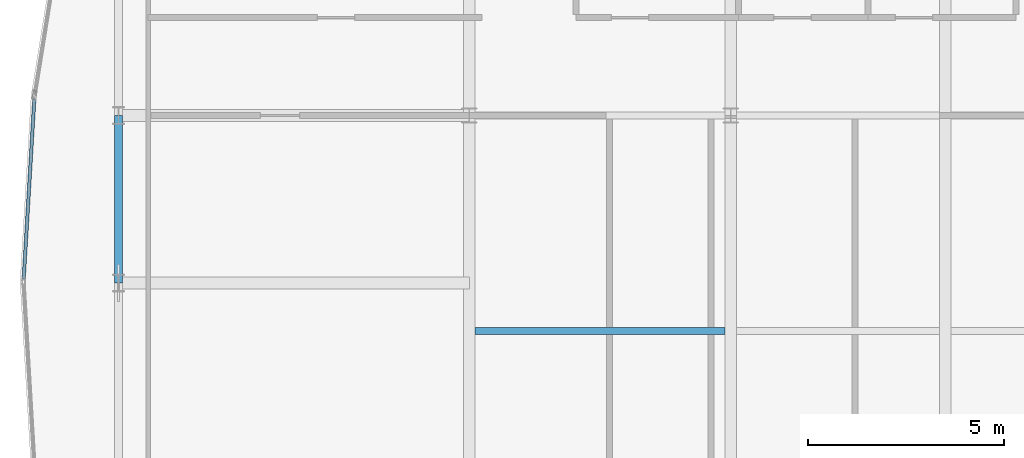
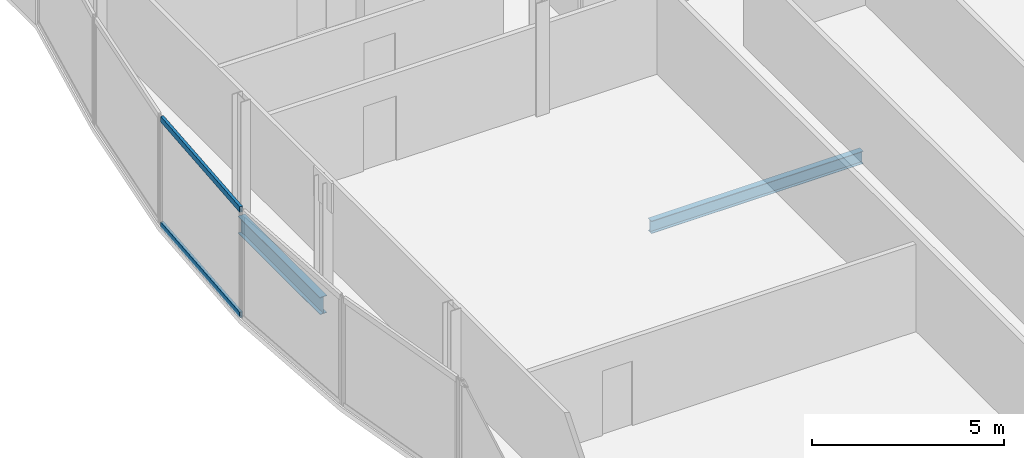
# One storey, part 11 of 30: 2 beams, 2 members, 1 element without a shape of its own.
"""IFC4 building model written with IfcOpenShell, lengths in metres."""

import ifcopenshell
import ifcopenshell.guid

model = None  # the IFC model being written
_history = None  # IfcOwnerHistory: only IFC2X3 demands one
_inside = {}  # id of a spatial element -> (the spatial element, [elements in it])
_under = {}  # id of a project, library or spatial element -> (it, [spatial elements below it])
_declared = {}  # id of a project -> (the project, [libraries it declares])
_typed = {}  # id of a type object -> (the type object, [elements of that type])
_made_of = {}  # id of a material, layer set ... -> (it, [elements and type objects made of it])


def new_model(schema):
    """Start an empty IFC model of exactly this schema.

    Asked for "IFC4X3", IfcOpenShell would pick the latest addendum, in which some entities
    have other attributes; the version numbers below select the first issue.
    IFC2X3 requires an IfcOwnerHistory on every rooted entity: one is made here for all.
    """
    global model, _history
    if schema == "IFC4X3":
        model = ifcopenshell.file(schema_version=(4, 3, 0, 0))
    else:
        model = ifcopenshell.file(schema=schema)
    _inside.clear()
    _under.clear()
    _declared.clear()
    _typed.clear()
    _made_of.clear()
    _history = None
    if model.schema == "IFC2X3":
        org = make("IfcOrganization", Name="unknown")
        user = make(
            "IfcPersonAndOrganization",
            ThePerson=make("IfcPerson", FamilyName="unknown"),
            TheOrganization=org,
        )
        app = make(
            "IfcApplication",
            ApplicationDeveloper=org,
            Version="unknown",
            ApplicationFullName="unknown",
            ApplicationIdentifier="unknown",
        )
        _history = make(
            "IfcOwnerHistory",
            OwningUser=user,
            OwningApplication=app,
            ChangeAction="ADDED",
            CreationDate=0,
        )
    return model


def make(cls, **values):
    """One entity of the class cls with the attributes given. An attribute that is None is left unset."""
    return model.create_entity(
        cls, **{name: value for name, value in values.items() if value is not None}
    )


def rooted(cls, **values):
    """An entity with a GlobalId (a new one), such as an element, a storey or a relation."""
    return make(cls, GlobalId=ifcopenshell.guid.new(), OwnerHistory=_history, **values)


def si_unit(unit_type, name, prefix=None):
    """IfcSIUnit, for example si_unit("LENGTHUNIT", "METRE", prefix="MILLI")."""
    return make("IfcSIUnit", UnitType=unit_type, Prefix=prefix, Name=name)


def assignment(units):
    """IfcUnitAssignment: the units of a project."""
    return None if units is None else make("IfcUnitAssignment", Units=units)


def point(xyz):
    """IfcCartesianPoint."""
    return None if xyz is None else make("IfcCartesianPoint", Coordinates=xyz)


def direction(xyz):
    """IfcDirection."""
    return None if xyz is None else make("IfcDirection", DirectionRatios=xyz)


def frame(location, z_axis=None, x_axis=None):
    """IfcAxis2Placement3D, a coordinate frame: its origin and axes. An axis left out is left unset."""
    return make(
        "IfcAxis2Placement3D",
        Location=point(location),
        Axis=direction(z_axis),
        RefDirection=direction(x_axis),
    )


def frame_2d(location, x_axis=None):
    """IfcAxis2Placement2D, a coordinate frame in the plane: its origin and x axis."""
    return make(
        "IfcAxis2Placement2D", Location=point(location), RefDirection=direction(x_axis)
    )


def origin():
    """The frame at (0, 0, 0) with its axes left unset."""
    return frame((0.0, 0.0, 0.0))


def origin_2d():
    """The frame at (0, 0) in the plane with its x axis left unset."""
    return frame_2d((0.0, 0.0))


def place(relative_to, where):
    """IfcLocalPlacement: puts the frame where relative to a parent placement (None: the world)."""
    return make(
        "IfcLocalPlacement", PlacementRelTo=relative_to, RelativePlacement=where
    )


def context(
    kind, dimensions, precision=None, world=None, true_north=None, identifier=None
):
    """IfcGeometricRepresentationContext, for example the 3D "Model" context."""
    return make(
        "IfcGeometricRepresentationContext",
        ContextIdentifier=identifier,
        ContextType=kind,
        CoordinateSpaceDimension=dimensions,
        Precision=precision,
        WorldCoordinateSystem=world,
        TrueNorth=true_north,
    )


def subcontext(parent, identifier, kind, view, scale=None):
    """IfcGeometricRepresentationSubContext, for example "Body" below "Model"."""
    return make(
        "IfcGeometricRepresentationSubContext",
        ContextIdentifier=identifier,
        ContextType=kind,
        ParentContext=parent,
        TargetScale=scale,
        TargetView=view,
    )


def project(units=None, contexts=None):
    """IfcProject with its units and contexts."""
    return rooted(
        "IfcProject",
        Name="project",
        RepresentationContexts=contexts,
        UnitsInContext=assignment(units),
    )


def spatial(cls, under=None, at=None, **own):
    """A site, building, storey or space (cls), placed at a placement, below another one or the project."""
    s = rooted(cls, ObjectPlacement=at, **own)
    if under is not None:
        _under.setdefault(under.id(), (under, []))[1].append(s)
    return s


def profile(cls, at=None, kind="AREA", **sizes):
    """A parametric profile (cls). Its sizes go by their IFC names, for example OverallWidth=200.0."""
    return make(cls, ProfileType=kind, Position=at, **sizes)


def hollow_rectangle(**sizes):
    """IfcRectangleHollowProfileDef."""
    return profile("IfcRectangleHollowProfileDef", **sizes)


def i_section(**sizes):
    """IfcIShapeProfileDef."""
    return profile("IfcIShapeProfileDef", **sizes)


def extrude(swept, where, along, depth):
    """IfcExtrudedAreaSolid: the profile swept, set in the frame where, extruded along a direction by depth."""
    return make(
        "IfcExtrudedAreaSolid",
        SweptArea=swept,
        Position=where,
        ExtrudedDirection=direction(along),
        Depth=depth,
    )


def shape(context_of_items, identifier, shape_type, items):
    """IfcShapeRepresentation: the items that make up one representation, for example the "Body"."""
    return make(
        "IfcShapeRepresentation",
        ContextOfItems=context_of_items,
        RepresentationIdentifier=identifier,
        RepresentationType=shape_type,
        Items=items,
    )


def material(Name=None, Category=None):
    """IfcMaterial."""
    return make("IfcMaterial", Name=Name, Category=Category)


def material_profile(
    of_material, cross_section, Name=None, Category=None, Priority=None
):
    """IfcMaterialProfile: a cross section and its material."""
    return make(
        "IfcMaterialProfile",
        Name=Name,
        Material=of_material,
        Profile=cross_section,
        Priority=Priority,
        Category=Category,
    )


def profile_set(profiles, Name=None, composite=None):
    """IfcMaterialProfileSet."""
    return make(
        "IfcMaterialProfileSet",
        Name=Name,
        MaterialProfiles=profiles,
        CompositeProfile=composite,
    )


def made_of(thing, what):
    """Note that an element or type object is made of a material, layer set ...; save() writes the relation."""
    if what is not None:
        _made_of.setdefault(what.id(), (what, []))[1].append(thing)
    return thing


def type_object(cls, material=None, **own):
    """A type object (cls), such as IfcWallType, which elements share."""
    return made_of(rooted(cls, **own), material)


def element(
    cls,
    number,
    at=None,
    inside=None,
    cuts=None,
    type_object=None,
    material=None,
    context=None,
    identifier="Body",
    shape_type=None,
    held_by="IfcProductDefinitionShape",
    body=None,
    shapes=None,
    **own,
):
    """One element of the class cls, such as IfcWall. Its Tag is "e" and its number.

    at: its placement. inside: the storey or other place that contains it. cuts: it is an
    opening in that element (IfcRelVoidsElement). A single representation is given by context,
    identifier, shape_type and body (its items); several are given by shapes. held_by: the class
    of the entity that holds the representations. save() writes the other relations.
    """
    e = rooted(cls, Tag="e%d" % number, ObjectPlacement=at, **own)
    if body is not None:
        shapes = [shape(context, identifier, shape_type, body)]
    if shapes is not None:
        e.Representation = make(held_by, Representations=shapes)
    if inside is not None:
        _inside.setdefault(inside.id(), (inside, []))[1].append(e)
    if cuts is not None:
        rooted(
            "IfcRelVoidsElement", RelatingBuildingElement=cuts, RelatedOpeningElement=e
        )
    if type_object is not None:
        _typed.setdefault(type_object.id(), (type_object, []))[1].append(e)
    return made_of(e, material)


def aggregate(whole, parts):
    """IfcRelAggregates: a whole, such as a stair, and the parts it consists of."""
    return rooted("IfcRelAggregates", RelatingObject=whole, RelatedObjects=parts)


def save(model, path):
    """Write the relations noted so far, then the file.

    IfcRelAggregates (storeys below a building ...), IfcRelContainedInSpatialStructure (elements
    in a storey), IfcRelDefinesByType, IfcRelAssociatesMaterial and IfcRelDeclares: one each for
    every whole, place, type object, material and project.
    """
    for whole, parts in _under.values():
        aggregate(whole, parts)
    for where, things in _inside.values():
        rooted(
            "IfcRelContainedInSpatialStructure",
            RelatedElements=things,
            RelatingStructure=where,
        )
    for kind, things in _typed.values():
        rooted("IfcRelDefinesByType", RelatedObjects=things, RelatingType=kind)
    for what, things in _made_of.values():
        rooted("IfcRelAssociatesMaterial", RelatedObjects=things, RelatingMaterial=what)
    for by, libraries in _declared.values():
        rooted("IfcRelDeclares", RelatingContext=by, RelatedDefinitions=libraries)
    model.write(path)


model = new_model("IFC4")

# Units and contexts
model_context = context("Model", 3, precision=1e-05, world=origin(), true_north=direction((0.0, 1.0)))
body_context = subcontext(model_context, "Body", "Model", "MODEL_VIEW")
ifc_project = project(units=[si_unit("LENGTHUNIT", "METRE"), si_unit("AREAUNIT", "SQUARE_METRE"), si_unit("VOLUMEUNIT", "CUBIC_METRE"), si_unit("PLANEANGLEUNIT", "RADIAN"), si_unit("MASSUNIT", "GRAM", prefix="KILO")], contexts=[model_context])

# Site, building, storey
site_placement = place(None, origin())
site = spatial("IfcSite", under=ifc_project, at=site_placement, CompositionType="ELEMENT")
building_placement = place(site_placement, origin())
building = spatial("IfcBuilding", under=site, at=building_placement, Name="Khoronbel Lancet Exchange", CompositionType="ELEMENT")
storey_placement = place(building_placement, frame((0.0, 0.0, 269.800048828125)))
storey = spatial("IfcBuildingStorey", under=building, at=storey_placement, Name="L69", CompositionType="ELEMENT", Elevation=269.800048828125)

# Beams
ifc_material_1 = material(Name="Steel S355", Category="steel")
ifc_material_profile_1 = material_profile(ifc_material_1, i_section(OverallWidth=0.179931640625, OverallDepth=0.39990234375, WebThickness=0.008544921875, FlangeThickness=0.013427734375, at=origin_2d()), Name="IPE 400")
ifc_profile_set_1 = profile_set([ifc_material_profile_1], Name="Steel S355")
beam_type_1 = type_object("IfcBeamType", Name="BM-BJ5", PredefinedType="JOIST", material=ifc_profile_set_1)
beam_1_placement = place(storey_placement, frame((18.375, 30.199951171875, -0.360107421875), z_axis=(1.0, 0.0, 0.0), x_axis=(0.0, 1.0, 0.0)))
element("IfcBeam", 1, at=beam_1_placement, inside=storey, type_object=beam_type_1, Name="Level L69 secondary composite joist J11", PredefinedType="JOIST", context=body_context, shape_type="SweptSolid", body=[
    extrude(i_section(OverallWidth=0.179931640625, OverallDepth=0.39990234375, WebThickness=0.008544921875, FlangeThickness=0.013427734375, at=origin_2d()), origin(), (0.0, 0.0, 1.0), 6.375),
])
ifc_material_profile_2 = material_profile(ifc_material_1, i_section(OverallWidth=0.2099609375, OverallDepth=0.550048828125, WebThickness=0.010986328125, FlangeThickness=0.01708984375, at=origin_2d()), Name="IPE 550")
ifc_profile_set_2 = profile_set([ifc_material_profile_2], Name="Steel S355")
beam_type_2 = type_object("IfcBeamType", Name="BM-BSP3", PredefinedType="SPANDREL", material=ifc_profile_set_2)
beam_2_placement = place(storey_placement, frame((9.27001953125, 35.699951171875, -0.43505859375), z_axis=(0.0, -1.0, 0.0), x_axis=(1.0, 0.0, 0.0)))
element("IfcBeam", 2, at=beam_2_placement, inside=storey, type_object=beam_type_2, Name="Level L69 perimeter spandrel beam SP18", PredefinedType="SPANDREL", context=body_context, shape_type="SweptSolid", body=[
    extrude(i_section(OverallWidth=0.2099609375, OverallDepth=0.550048828125, WebThickness=0.010986328125, FlangeThickness=0.01708984375, at=origin_2d()), origin(), (0.0, 0.0, 1.0), 4.27490234375),
])

# Curtain wall, members
ifc_material_2 = material(Name="Low-E Solar Control Insulating Glass", Category="glass")
curtain_wall_type = type_object("IfcCurtainWallType", Name="CW-4", PredefinedType="NOTDEFINED", material=ifc_material_2)
curtain_wall_placement = place(storey_placement, origin())
curtain_wall = element("IfcCurtainWall", 3, at=curtain_wall_placement, inside=storey, type_object=curtain_wall_type, Name="Unitised curtain wall CW-L69-E07", PredefinedType="NOTDEFINED")
ifc_material_3 = material(Name="Bronze-Anodised Aluminium 6063-T6", Category="aluminium")
ifc_material_profile_3 = material_profile(ifc_material_3, hollow_rectangle(XDim=0.0849609375, YDim=0.179931640625, WallThickness=0.0048828125, at=origin_2d()), Name="ALU TRANSOM 85x180")
ifc_profile_set_3 = profile_set([ifc_material_profile_3], Name="Bronze-Anodised Aluminium 6063-T6")
member_type = type_object("IfcMemberType", Name="MEM-CWT1", PredefinedType="USERDEFINED", material=ifc_profile_set_3)
member_1_placement = place(storey_placement, frame((6.850830078125, 31.52490234375, 0.04248046875), z_axis=(0.058986570603, 0.998258776314, 0.0), x_axis=(-0.998258776314, 0.058986570603, 0.0)))
member_1 = element("IfcMember", 4, at=member_1_placement, type_object=member_type, Name="CW4 transom 1.1", ObjectType="TRANSOM", PredefinedType="USERDEFINED", context=body_context, shape_type="SweptSolid", body=[
    extrude(hollow_rectangle(XDim=0.0849609375, YDim=0.179931640625, WallThickness=0.0048828125, at=origin_2d()), origin(), (0.0, 0.0, 1.0), 4.598388671875),
])
member_2_placement = place(storey_placement, frame((6.850830078125, 31.52490234375, 3.3974609375), z_axis=(0.058986570603, 0.998258776314, 0.0), x_axis=(-0.998258776314, 0.058986570603, 0.0)))
member_2 = element("IfcMember", 5, at=member_2_placement, type_object=member_type, Name="CW4 transom 1.2", ObjectType="TRANSOM", PredefinedType="USERDEFINED", context=body_context, shape_type="SweptSolid", body=[
    extrude(hollow_rectangle(XDim=0.0849609375, YDim=0.179931640625, WallThickness=0.0048828125, at=origin_2d()), origin(), (0.0, 0.0, 1.0), 4.598388671875),
])
aggregate(curtain_wall, [member_1, member_2])

save(model, "model.ifc")
